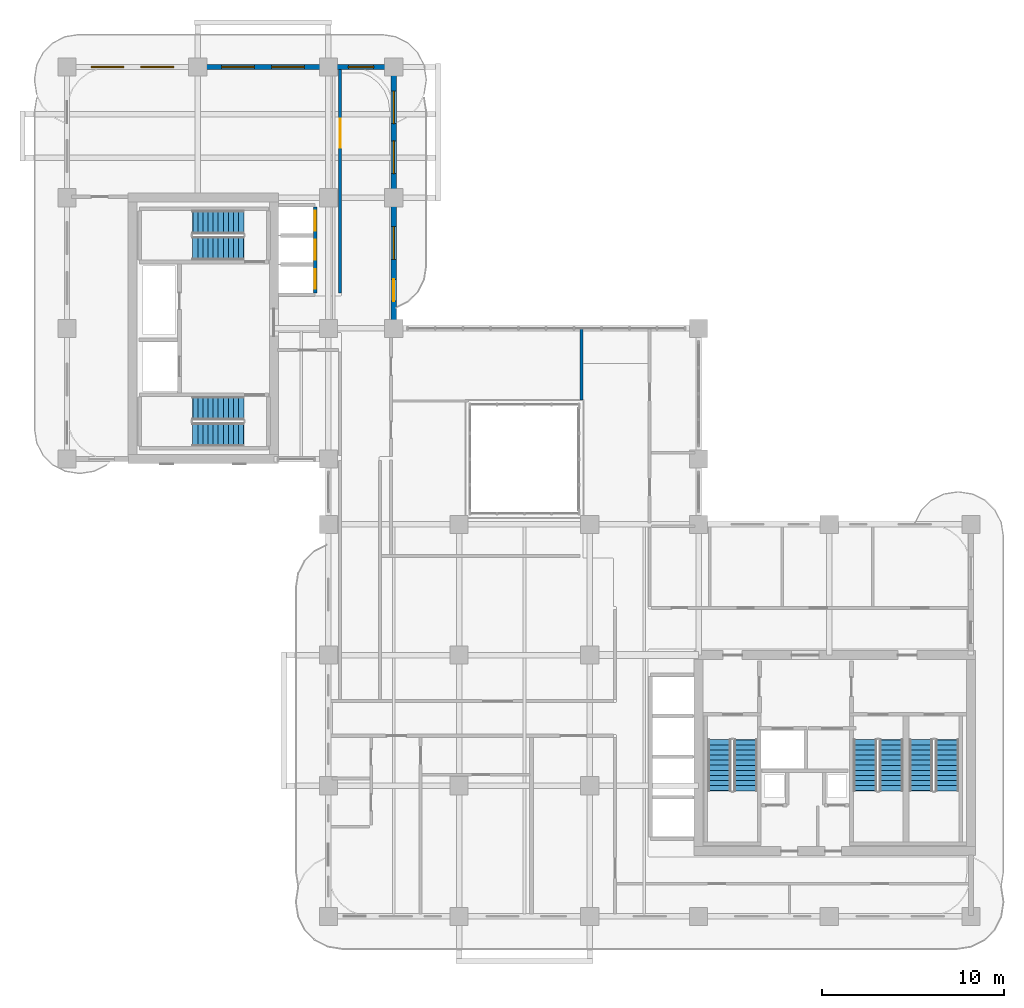
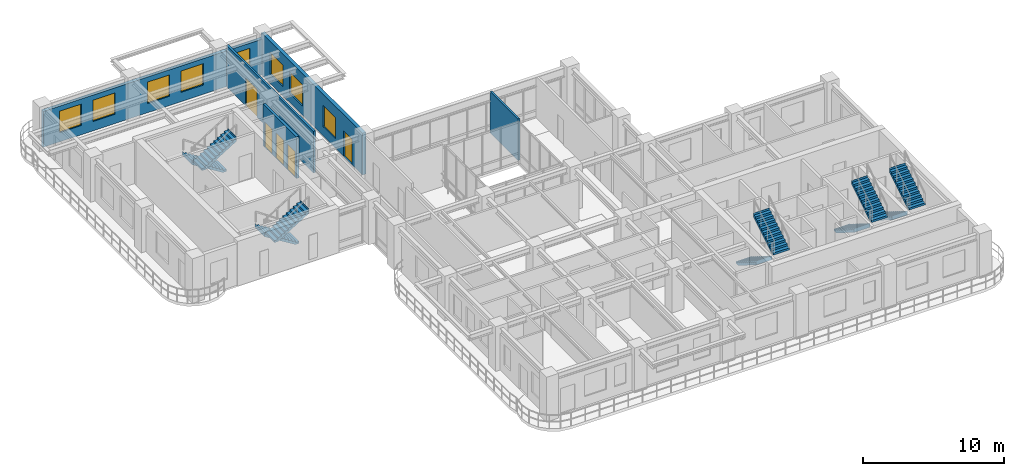
# One storey, part 15 of 19: 10 stair flights, 8 windows, 5 doors, 5 walls, 13 openings, 5 elements without a shape of their own.
"""IFC4 building model written with IfcOpenShell, lengths in metres."""

from ifc_helpers import new_model, si_unit, derived_unit, direction, frame, frame_2d, origin, place, context, subcontext, project, spatial, polyline, rectangle, outline, extrude, source, transform, mapped, material, layer, layer_set, type_object, type_shapes, element, fill, aggregate, save


model = new_model("IFC4")

# Units and contexts
model_context = context("Model", 3, precision=1e-05, world=origin(), true_north=direction((0.0, 1.0)))
body_context = subcontext(model_context, "Body", "Model", "MODEL_VIEW")
ifc_project = project(units=[si_unit("LENGTHUNIT", "METRE"), si_unit("AREAUNIT", "SQUARE_METRE"), si_unit("VOLUMEUNIT", "CUBIC_METRE"), si_unit("PLANEANGLEUNIT", "RADIAN"), si_unit("MASSUNIT", "GRAM", prefix="KILO"), si_unit("THERMODYNAMICTEMPERATUREUNIT", "KELVIN"), si_unit("POWERUNIT", "WATT"), derived_unit("THERMALTRANSMITTANCEUNIT", [(si_unit("POWERUNIT", "WATT"), 1), (si_unit("AREAUNIT", "SQUARE_METRE"), -1), (si_unit("THERMODYNAMICTEMPERATUREUNIT", "KELVIN"), -1)])], contexts=[model_context])

# Site, building, storey
site_placement = place(None, origin())
site = spatial("IfcSite", under=ifc_project, at=site_placement, CompositionType="ELEMENT")
building_placement = place(site_placement, origin())
building = spatial("IfcBuilding", under=site, at=building_placement, Name="Zahravan Archway Hotel and Residences", CompositionType="ELEMENT")
storey_placement = place(building_placement, frame((0.0, 0.0, 150.300048828125)))
storey = spatial("IfcBuildingStorey", under=building, at=storey_placement, Name="L37", CompositionType="ELEMENT", Elevation=150.300048828125)

# Wall, openings, windows
ifc_material_1 = material(Name="Honed Red-Ochre Sandstone & Insulated Block", Category="masonry")
ifc_layer_1 = layer(ifc_material_1, 0.280029296875, Name="Honed Red-Ochre Sandstone & Insulated Block", Category="masonry")
ifc_layer_set_1 = layer_set([ifc_layer_1], Name="Honed Red-Ochre Sandstone & Insulated Block")
wall_type_1 = type_object("IfcWallType", Name="EW-LOG-280", PredefinedType="SOLIDWALL", material=ifc_layer_set_1)
wall_1_placement = place(storey_placement, frame((0.0, 46.800048828125, 0.0), z_axis=(0.0, 0.0, 1.0), x_axis=(1.0, 0.0, 0.0)))
wall_1 = element("IfcWall", 1, at=wall_1_placement, inside=storey, type_object=wall_type_1, Name="L37 Exterior Sandstone Wall WB-N", PredefinedType="SOLIDWALL", context=body_context, shape_type="SweptSolid", body=[
    extrude(rectangle(XDim=18.0, YDim=0.280029296875, at=frame_2d((9.0, 0.0))), origin(), (0.0, 0.0, 1.0), 3.0849609375),
])
opening_1_placement = place(wall_1_placement, frame((1.324951171875, 0.0, 0.800048828125)))
opening_1 = element("IfcOpeningElement", 2, at=opening_1_placement, cuts=wall_1, Name="Opening W-02", PredefinedType="OPENING", context=body_context, shape_type="SweptSolid", body=[
    extrude(rectangle(XDim=1.800048828125, YDim=1.85009765625, at=frame_2d((0.89990234375, 0.925048828125))), frame((0.0, 0.14990234375, 0.0), z_axis=(0.0, -1.0, 0.0), x_axis=(1.0, 0.0, 0.0)), (0.0, 0.0, 1.0), 0.300048828125),
])
opening_2_placement = place(wall_1_placement, frame((4.074951171875, 0.0, 0.800048828125)))
opening_2 = element("IfcOpeningElement", 3, at=opening_2_placement, cuts=wall_1, Name="Opening W-02", PredefinedType="OPENING", context=body_context, shape_type="SweptSolid", body=[
    extrude(rectangle(XDim=1.800048828125, YDim=1.85009765625, at=frame_2d((0.89990234375, 0.925048828125))), frame((0.0, 0.14990234375, 0.0), z_axis=(0.0, -1.0, 0.0), x_axis=(1.0, 0.0, 0.0)), (0.0, 0.0, 1.0), 0.300048828125),
])
opening_3_placement = place(wall_1_placement, frame((8.52490234375, 0.0, 0.800048828125)))
opening_3 = element("IfcOpeningElement", 4, at=opening_3_placement, cuts=wall_1, Name="Opening W-02", PredefinedType="OPENING", context=body_context, shape_type="SweptSolid", body=[
    extrude(rectangle(XDim=1.800048828125, YDim=1.85009765625, at=frame_2d((0.89990234375, 0.925048828125))), frame((0.0, 0.14990234375, 0.0), z_axis=(0.0, -1.0, 0.0), x_axis=(1.0, 0.0, 0.0)), (0.0, 0.0, 1.0), 0.300048828125),
])
opening_4_placement = place(wall_1_placement, frame((11.27490234375, 0.0, 0.800048828125)))
opening_4 = element("IfcOpeningElement", 5, at=opening_4_placement, cuts=wall_1, Name="Opening W-02", PredefinedType="OPENING", context=body_context, shape_type="SweptSolid", body=[
    extrude(rectangle(XDim=1.800048828125, YDim=1.85009765625, at=frame_2d((0.89990234375, 0.925048828125))), frame((0.0, 0.14990234375, 0.0), z_axis=(0.0, -1.0, 0.0), x_axis=(1.0, 0.0, 0.0)), (0.0, 0.0, 1.0), 0.300048828125),
])
opening_5_placement = place(wall_1_placement, frame((15.5, 0.0, 0.800048828125)))
opening_5 = element("IfcOpeningElement", 6, at=opening_5_placement, cuts=wall_1, Name="Opening W-03", PredefinedType="OPENING", context=body_context, shape_type="SweptSolid", body=[
    extrude(rectangle(XDim=1.39990234375, YDim=1.85009765625, at=frame_2d((0.699951171875, 0.925048828125))), frame((0.0, 0.14990234375, 0.0), z_axis=(0.0, -1.0, 0.0), x_axis=(1.0, 0.0, 0.0)), (0.0, 0.0, 1.0), 0.300048828125),
])
ifc_material_2 = material(Name="Bronze-Anodized Thermal-Break Aluminium & Low-E Glass", Category="aluminium")
window_type_1 = type_object("IfcWindowType", Name="WIN-TWR-1400", PartitioningType="SINGLE_PANEL", PredefinedType="WINDOW", material=ifc_material_2)
shared_shape_1 = source(origin(), body_context, "Body", "SweptSolid", [
    extrude(rectangle(XDim=1.39990234375, YDim=1.85009765625, at=frame_2d((0.699951171875, 0.925048828125))), frame((0.0, 0.030029296875, 0.0), z_axis=(0.0, -1.0, 0.0), x_axis=(1.0, 0.0, 0.0)), (0.0, 0.0, 1.0), 0.06005859375),
])
type_shapes(window_type_1, [shared_shape_1])
window_1_placement = place(opening_5_placement, origin())
window_1 = element("IfcWindow", 7, at=window_1_placement, inside=storey, type_object=window_type_1, Name="L37 Loggia Window 30", OverallHeight=1.85009765625, OverallWidth=1.39990234375, PartitioningType="SINGLE_PANEL", PredefinedType="WINDOW", context=body_context, shape_type="MappedRepresentation", body=[
    mapped(shared_shape_1, transform((0.0, 0.0, 0.0), scale=1.0)),
])
fill(opening_5, window_1)
window_type_2 = type_object("IfcWindowType", Name="WIN-TWR-1800", PartitioningType="DOUBLE_PANEL_VERTICAL", PredefinedType="WINDOW", material=ifc_material_2)
shared_shape_2 = source(origin(), body_context, "Body", "SweptSolid", [
    extrude(rectangle(XDim=1.800048828125, YDim=1.85009765625, at=frame_2d((0.89990234375, 0.925048828125))), frame((0.0, 0.030029296875, 0.0), z_axis=(0.0, -1.0, 0.0), x_axis=(1.0, 0.0, 0.0)), (0.0, 0.0, 1.0), 0.06005859375),
])
type_shapes(window_type_2, [shared_shape_2])
window_2_placement = place(opening_1_placement, origin())
window_2 = element("IfcWindow", 8, at=window_2_placement, inside=storey, type_object=window_type_2, Name="L37 Loggia Window 26", OverallHeight=1.85009765625, OverallWidth=1.800048828125, PartitioningType="DOUBLE_PANEL_VERTICAL", PredefinedType="WINDOW", context=body_context, shape_type="MappedRepresentation", body=[
    mapped(shared_shape_2, transform((0.0, 0.0, 0.0), scale=1.0)),
])
fill(opening_1, window_2)
window_3_placement = place(opening_2_placement, origin())
window_3 = element("IfcWindow", 9, at=window_3_placement, inside=storey, type_object=window_type_2, Name="L37 Loggia Window 27", OverallHeight=1.85009765625, OverallWidth=1.800048828125, PartitioningType="DOUBLE_PANEL_VERTICAL", PredefinedType="WINDOW", context=body_context, shape_type="MappedRepresentation", body=[
    mapped(shared_shape_2, transform((0.0, 0.0, 0.0), scale=1.0)),
])
fill(opening_2, window_3)
window_4_placement = place(opening_3_placement, origin())
window_4 = element("IfcWindow", 10, at=window_4_placement, inside=storey, type_object=window_type_2, Name="L37 Loggia Window 28", OverallHeight=1.85009765625, OverallWidth=1.800048828125, PartitioningType="DOUBLE_PANEL_VERTICAL", PredefinedType="WINDOW", context=body_context, shape_type="MappedRepresentation", body=[
    mapped(shared_shape_2, transform((0.0, 0.0, 0.0), scale=1.0)),
])
fill(opening_3, window_4)
window_5_placement = place(opening_4_placement, origin())
window_5 = element("IfcWindow", 11, at=window_5_placement, inside=storey, type_object=window_type_2, Name="L37 Loggia Window 29", OverallHeight=1.85009765625, OverallWidth=1.800048828125, PartitioningType="DOUBLE_PANEL_VERTICAL", PredefinedType="WINDOW", context=body_context, shape_type="MappedRepresentation", body=[
    mapped(shared_shape_2, transform((0.0, 0.0, 0.0), scale=1.0)),
])
fill(opening_4, window_5)

# Wall, openings, door, windows
wall_2_placement = place(storey_placement, frame((18.0, 32.39990234375, 0.0), z_axis=(0.0, 0.0, 1.0), x_axis=(0.0, 1.0, 0.0)))
wall_2 = element("IfcWall", 12, at=wall_2_placement, inside=storey, type_object=wall_type_1, Name="L37 Exterior Sandstone Wall WB-EU", PredefinedType="SOLIDWALL", context=body_context, shape_type="SweptSolid", body=[
    extrude(rectangle(XDim=14.35009765625, YDim=0.280029296875, at=frame_2d((7.175048828125, 0.0))), origin(), (0.0, 0.0, 1.0), 3.599853515625),
])
opening_6_placement = place(wall_2_placement, frame((1.5, 0.0, 0.0)))
opening_6 = element("IfcOpeningElement", 13, at=opening_6_placement, cuts=wall_2, Name="Opening ED-BL1", PredefinedType="OPENING", context=body_context, shape_type="SweptSolid", body=[
    extrude(rectangle(XDim=1.199951171875, YDim=2.199951171875, at=frame_2d((0.60009765625, 1.10009765625))), frame((0.0, 0.14990234375, 0.0), z_axis=(0.0, -1.0, 0.0), x_axis=(1.0, 0.0, 0.0)), (0.0, 0.0, 1.0), 0.300048828125),
])
opening_7_placement = place(wall_2_placement, frame((3.800048828125, 0.0, 0.800048828125)))
opening_7 = element("IfcOpeningElement", 14, at=opening_7_placement, cuts=wall_2, Name="Opening W-02", PredefinedType="OPENING", context=body_context, shape_type="SweptSolid", body=[
    extrude(rectangle(XDim=1.800048828125, YDim=1.85009765625, at=frame_2d((0.89990234375, 0.925048828125))), frame((0.0, 0.14990234375, 0.0), z_axis=(0.0, -1.0, 0.0), x_axis=(1.0, 0.0, 0.0)), (0.0, 0.0, 1.0), 0.300048828125),
])
opening_8_placement = place(wall_2_placement, frame((8.52490234375, 0.0, 0.800048828125)))
opening_8 = element("IfcOpeningElement", 15, at=opening_8_placement, cuts=wall_2, Name="Opening W-02", PredefinedType="OPENING", context=body_context, shape_type="SweptSolid", body=[
    extrude(rectangle(XDim=1.800048828125, YDim=1.85009765625, at=frame_2d((0.89990234375, 0.925048828125))), frame((0.0, 0.14990234375, 0.0), z_axis=(0.0, -1.0, 0.0), x_axis=(1.0, 0.0, 0.0)), (0.0, 0.0, 1.0), 0.300048828125),
])
opening_9_placement = place(wall_2_placement, frame((11.27490234375, 0.0, 0.800048828125)))
opening_9 = element("IfcOpeningElement", 16, at=opening_9_placement, cuts=wall_2, Name="Opening W-02", PredefinedType="OPENING", context=body_context, shape_type="SweptSolid", body=[
    extrude(rectangle(XDim=1.800048828125, YDim=1.85009765625, at=frame_2d((0.89990234375, 0.925048828125))), frame((0.0, 0.14990234375, 0.0), z_axis=(0.0, -1.0, 0.0), x_axis=(1.0, 0.0, 0.0)), (0.0, 0.0, 1.0), 0.300048828125),
])
ifc_material_3 = material(Name="Bronze-Anodized Glazed Aluminium", Category="aluminium")
door_type_1 = type_object("IfcDoorType", Name="ED-BALC-1200", OperationType="SLIDING_TO_LEFT", PredefinedType="DOOR", material=ifc_material_3)
shared_shape_3 = source(origin(), body_context, "Body", "SweptSolid", [
    extrude(rectangle(XDim=1.199951171875, YDim=2.199951171875, at=frame_2d((0.60009765625, 1.10009765625))), frame((0.0, 0.02490234375, 0.0), z_axis=(0.0, -1.0, 0.0), x_axis=(1.0, 0.0, 0.0)), (0.0, 0.0, 1.0), 0.050048828125),
])
type_shapes(door_type_1, [shared_shape_3])
door_1_placement = place(opening_6_placement, origin())
door_1 = element("IfcDoor", 17, at=door_1_placement, inside=storey, type_object=door_type_1, Name="L37 Outdoor Access Sliding Door (SLB-BAL-L37-EB)", OperationType="SLIDING_TO_LEFT", OverallHeight=2.199951171875, OverallWidth=1.199951171875, PredefinedType="DOOR", context=body_context, shape_type="MappedRepresentation", body=[
    mapped(shared_shape_3, transform((0.0, 0.0, 0.0), scale=1.0)),
])
fill(opening_6, door_1)
window_6_placement = place(opening_7_placement, origin())
window_6 = element("IfcWindow", 18, at=window_6_placement, inside=storey, type_object=window_type_2, Name="L37 Loggia Window 31", OverallHeight=1.85009765625, OverallWidth=1.800048828125, PartitioningType="DOUBLE_PANEL_VERTICAL", PredefinedType="WINDOW", context=body_context, shape_type="MappedRepresentation", body=[
    mapped(shared_shape_2, transform((0.0, 0.0, 0.0), scale=1.0)),
])
fill(opening_7, window_6)
window_7_placement = place(opening_8_placement, origin())
window_7 = element("IfcWindow", 19, at=window_7_placement, inside=storey, type_object=window_type_2, Name="L37 Loggia Window 32", OverallHeight=1.85009765625, OverallWidth=1.800048828125, PartitioningType="DOUBLE_PANEL_VERTICAL", PredefinedType="WINDOW", context=body_context, shape_type="MappedRepresentation", body=[
    mapped(shared_shape_2, transform((0.0, 0.0, 0.0), scale=1.0)),
])
fill(opening_8, window_7)
window_8_placement = place(opening_9_placement, origin())
window_8 = element("IfcWindow", 20, at=window_8_placement, inside=storey, type_object=window_type_2, Name="L37 Loggia Window 33", OverallHeight=1.85009765625, OverallWidth=1.800048828125, PartitioningType="DOUBLE_PANEL_VERTICAL", PredefinedType="WINDOW", context=body_context, shape_type="MappedRepresentation", body=[
    mapped(shared_shape_2, transform((0.0, 0.0, 0.0), scale=1.0)),
])
fill(opening_9, window_8)

# Wall, opening, door
ifc_material_4 = material(Name="Fire-Rated Gypsum & Concrete Block", Category="concrete")
ifc_layer_2 = layer(ifc_material_4, 0.159912109375, Name="Fire-Rated Gypsum & Concrete Block", Category="concrete")
ifc_layer_set_2 = layer_set([ifc_layer_2], Name="Fire-Rated Gypsum & Concrete Block")
wall_type_2 = type_object("IfcWallType", Name="PW-CORR-160", PredefinedType="PARTITIONING", material=ifc_layer_set_2)
wall_3_placement = place(storey_placement, frame((15.050048828125, 34.340087890625, 0.0), z_axis=(0.0, 0.0, 1.0), x_axis=(0.0, 1.0, 0.0)))
wall_3 = element("IfcWall", 21, at=wall_3_placement, inside=storey, type_object=wall_type_2, Name="L37 Partition WBN-C", PredefinedType="PARTITIONING", context=body_context, shape_type="SweptSolid", body=[
    extrude(rectangle(XDim=12.31201171875, YDim=0.159912109375, at=frame_2d((6.156005859375, 0.0))), origin(), (0.0, 0.0, 1.0), 3.599853515625),
])
opening_10_placement = place(wall_3_placement, frame((8.010009765625, 0.0, 0.0)))
opening_10 = element("IfcOpeningElement", 22, at=opening_10_placement, cuts=wall_3, Name="Opening D-P2", PredefinedType="OPENING", context=body_context, shape_type="SweptSolid", body=[
    extrude(rectangle(XDim=1.60009765625, YDim=2.39990234375, at=frame_2d((0.800048828125, 1.199951171875))), frame((0.0, 0.08984375, 0.0), z_axis=(0.0, -1.0, 0.0), x_axis=(1.0, 0.0, 0.0)), (0.0, 0.0, 1.0), 0.179931640625),
])
door_type_2 = type_object("IfcDoorType", Name="ID-PUBLIC-1600", OperationType="DOUBLE_DOOR_SINGLE_SWING", PredefinedType="DOOR", material=ifc_material_3)
shared_shape_4 = source(origin(), body_context, "Body", "SweptSolid", [
    extrude(rectangle(XDim=1.60009765625, YDim=2.39990234375, at=frame_2d((0.800048828125, 1.199951171875))), frame((0.0, 0.02490234375, 0.0), z_axis=(0.0, -1.0, 0.0), x_axis=(1.0, 0.0, 0.0)), (0.0, 0.0, 1.0), 0.050048828125),
])
type_shapes(door_type_2, [shared_shape_4])
door_2_placement = place(opening_10_placement, origin())
door_2 = element("IfcDoor", 23, at=door_2_placement, inside=storey, type_object=door_type_2, Name="L37 North Wing Spa Salon Door", OperationType="DOUBLE_DOOR_SINGLE_SWING", OverallHeight=2.39990234375, OverallWidth=1.60009765625, PredefinedType="DOOR", context=body_context, shape_type="MappedRepresentation", body=[
    mapped(shared_shape_4, transform((0.0, 0.0, 0.0), scale=1.0)),
])
fill(opening_10, door_2)

# Wall
wall_4_placement = place(storey_placement, frame((28.35009765625, 28.43994140625, 0.0), z_axis=(0.0, 0.0, 1.0), x_axis=(0.0, 1.0, 0.0)))
element("IfcWall", 24, at=wall_4_placement, inside=storey, type_object=wall_type_2, Name="L37 Partition ATR-NWE", PredefinedType="PARTITIONING", context=body_context, shape_type="SweptSolid", body=[
    extrude(rectangle(XDim=3.93212890625, YDim=0.159912109375, at=frame_2d((1.966064453125, 0.0))), origin(), (0.0, 0.0, 1.0), 3.599853515625),
])

# Wall, openings, doors
ifc_layer_3 = layer(ifc_material_4, 0.199951171875, Name="Fire-Rated Gypsum & Concrete Block", Category="concrete")
ifc_layer_set_3 = layer_set([ifc_layer_3], Name="Fire-Rated Gypsum & Concrete Block")
wall_type_3 = type_object("IfcWallType", Name="PW-SHAFT-200", PredefinedType="PARTITIONING", material=ifc_layer_set_3)
wall_5_placement = place(storey_placement, frame((13.679931640625, 34.360107421875, 0.0), z_axis=(0.0, 0.0, 1.0), x_axis=(0.0, 1.0, 0.0)))
wall_5 = element("IfcWall", 25, at=wall_5_placement, inside=storey, type_object=wall_type_3, Name="L37 Partition B2-E", PredefinedType="PARTITIONING", context=body_context, shape_type="SweptSolid", body=[
    extrude(rectangle(XDim=4.719970703125, YDim=0.199951171875, at=frame_2d((2.35986328125, 0.0))), origin(), (0.0, 0.0, 1.0), 3.599853515625),
])
opening_11_placement = place(wall_5_placement, frame((0.2099609375, 0.0, 0.0)))
opening_11 = element("IfcOpeningElement", 26, at=opening_11_placement, cuts=wall_5, Name="Opening LD", PredefinedType="OPENING", context=body_context, shape_type="SweptSolid", body=[
    extrude(rectangle(XDim=1.10009765625, YDim=2.199951171875, at=frame_2d((0.550048828125, 1.10009765625))), frame((0.0, 0.10986328125, 0.0), z_axis=(0.0, -1.0, 0.0), x_axis=(1.0, 0.0, 0.0)), (0.0, 0.0, 1.0), 0.219970703125),
])
opening_12_placement = place(wall_5_placement, frame((1.81005859375, 0.0, 0.0)))
opening_12 = element("IfcOpeningElement", 27, at=opening_12_placement, cuts=wall_5, Name="Opening LD", PredefinedType="OPENING", context=body_context, shape_type="SweptSolid", body=[
    extrude(rectangle(XDim=1.10009765625, YDim=2.199951171875, at=frame_2d((0.550048828125, 1.10009765625))), frame((0.0, 0.10986328125, 0.0), z_axis=(0.0, -1.0, 0.0), x_axis=(1.0, 0.0, 0.0)), (0.0, 0.0, 1.0), 0.219970703125),
])
opening_13_placement = place(wall_5_placement, frame((3.409912109375, 0.0, 0.0)))
opening_13 = element("IfcOpeningElement", 28, at=opening_13_placement, cuts=wall_5, Name="Opening LD", PredefinedType="OPENING", context=body_context, shape_type="SweptSolid", body=[
    extrude(rectangle(XDim=1.10009765625, YDim=2.199951171875, at=frame_2d((0.550048828125, 1.10009765625))), frame((0.0, 0.10986328125, 0.0), z_axis=(0.0, -1.0, 0.0), x_axis=(1.0, 0.0, 0.0)), (0.0, 0.0, 1.0), 0.219970703125),
])
ifc_material_5 = material(Name="Brushed Stainless Steel", Category="steel")
door_type_3 = type_object("IfcDoorType", Name="DR-LIFT-LD", OperationType="SLIDING_TO_LEFT", PredefinedType="DOOR", material=ifc_material_5)
shared_shape_5 = source(origin(), body_context, "Body", "SweptSolid", [
    extrude(rectangle(XDim=1.10009765625, YDim=2.199951171875, at=frame_2d((0.550048828125, 1.10009765625))), frame((0.0, 0.02490234375, 0.0), z_axis=(0.0, -1.0, 0.0), x_axis=(1.0, 0.0, 0.0)), (0.0, 0.0, 1.0), 0.050048828125),
])
type_shapes(door_type_3, [shared_shape_5])
door_3_placement = place(opening_11_placement, origin())
door_3 = element("IfcDoor", 29, at=door_3_placement, inside=storey, type_object=door_type_3, Name="L37 Lift LP-4 Sliding Landing Door", OperationType="SLIDING_TO_LEFT", OverallHeight=2.199951171875, OverallWidth=1.10009765625, PredefinedType="DOOR", context=body_context, shape_type="MappedRepresentation", body=[
    mapped(shared_shape_5, transform((0.0, 0.0, 0.0), scale=1.0)),
])
fill(opening_11, door_3)
door_4_placement = place(opening_12_placement, origin())
door_4 = element("IfcDoor", 30, at=door_4_placement, inside=storey, type_object=door_type_3, Name="L37 Lift LP-5 Sliding Landing Door", OperationType="SLIDING_TO_LEFT", OverallHeight=2.199951171875, OverallWidth=1.10009765625, PredefinedType="DOOR", context=body_context, shape_type="MappedRepresentation", body=[
    mapped(shared_shape_5, transform((0.0, 0.0, 0.0), scale=1.0)),
])
fill(opening_12, door_4)
door_5_placement = place(opening_13_placement, origin())
door_5 = element("IfcDoor", 31, at=door_5_placement, inside=storey, type_object=door_type_3, Name="L37 Lift LP-6 Sliding Landing Door", OperationType="SLIDING_TO_LEFT", OverallHeight=2.199951171875, OverallWidth=1.10009765625, PredefinedType="DOOR", context=body_context, shape_type="MappedRepresentation", body=[
    mapped(shared_shape_5, transform((0.0, 0.0, 0.0), scale=1.0)),
])
fill(opening_13, door_5)

# Stair, stair flights
ifc_material_6 = material(Name="Concrete C50/60", Category="concrete")
stair_type = type_object("IfcStairType", Name="STR-CORE-1300", PredefinedType="HALF_TURN_STAIR", material=ifc_material_6)
stair_1_placement = place(storey_placement, origin())
stair_1 = element("IfcStair", 32, at=stair_1_placement, inside=storey, type_object=stair_type, Name="L37 Core A Exit Stair 1", PredefinedType="HALF_TURN_STAIR")
ifc_layer_4 = layer(ifc_material_6, 0.199951171875, Name="Concrete C50/60", Category="concrete")
ifc_layer_set_4 = layer_set([ifc_layer_4], Name="Concrete C50/60")
stair_flight_type = type_object("IfcStairFlightType", Name="SFL-CORE-1300", PredefinedType="STRAIGHT", material=ifc_layer_set_4)
shared_shape_6 = source(origin(), body_context, "Body", "SweptSolid", [
    extrude(outline(polyline([(-0.01611328125, 0.0), (-0.01611328125, 0.175048828125), (0.280029296875, 0.175048828125), (0.280029296875, 0.35009765625), (0.56005859375, 0.35009765625), (0.56005859375, 0.52490234375), (0.840087890625, 0.52490234375), (0.840087890625, 0.699951171875), (1.1201171875, 0.699951171875), (1.1201171875, 0.875), (1.39990234375, 0.875), (1.39990234375, 1.050048828125), (1.679931640625, 1.050048828125), (1.679931640625, 1.22509765625), (1.9599609375, 1.22509765625), (1.9599609375, 1.39990234375), (2.239990234375, 1.39990234375), (2.239990234375, 1.574951171875), (2.52001953125, 1.574951171875), (2.52001953125, 1.75), (2.800048828125, 1.75), (2.800048828125, 1.925048828125), (2.816162109375, 1.925048828125), (2.816162109375, 1.5732421875), (0.28271484375, 0.0), (-0.01611328125, 0.0)])), frame((0.0, 0.64990234375, 0.0), z_axis=(0.0, -1.0, 0.0), x_axis=(1.0, 0.0, 0.0)), (0.0, 0.0, 1.0), 1.300048828125),
])
stair_flight_1_placement = place(storey_placement, frame((35.949951171875, 9.72998046875, 0.0), z_axis=(0.0, 0.0, 1.0), x_axis=(0.0, -1.0, 0.0)))
stair_flight_1 = element("IfcStairFlight", 33, at=stair_flight_1_placement, type_object=stair_flight_type, Name="ST-A1 flight 1", NumberOfRisers=11, NumberOfTreads=10, PredefinedType="STRAIGHT", RiserHeight=0.175, TreadLength=0.28, context=body_context, shape_type="MappedRepresentation", body=[
    mapped(shared_shape_6, transform((0.0, 0.0, 0.0), scale=1.0)),
])
stair_flight_2_placement = place(storey_placement, frame((37.389892578125, 6.929931640625, 1.925048828125), z_axis=(0.0, 0.0, 1.0), x_axis=(0.0, 1.0, 0.0)))
stair_flight_2 = element("IfcStairFlight", 34, at=stair_flight_2_placement, type_object=stair_flight_type, Name="ST-A1 flight 2", NumberOfRisers=11, NumberOfTreads=10, PredefinedType="STRAIGHT", RiserHeight=0.175, TreadLength=0.28, context=body_context, shape_type="MappedRepresentation", body=[
    mapped(shared_shape_6, transform((0.0, 0.0, 0.0), scale=1.0)),
])
aggregate(stair_1, [stair_flight_1, stair_flight_2])

stair_2_placement = place(storey_placement, origin())
stair_2 = element("IfcStair", 35, at=stair_2_placement, inside=storey, type_object=stair_type, Name="L37 Core A Exit Stair 2", PredefinedType="HALF_TURN_STAIR")
stair_flight_3_placement = place(storey_placement, frame((43.969970703125, 9.72998046875, 0.0), z_axis=(0.0, 0.0, 1.0), x_axis=(0.0, -1.0, 0.0)))
stair_flight_3 = element("IfcStairFlight", 36, at=stair_flight_3_placement, type_object=stair_flight_type, Name="ST-A2 flight 1", NumberOfRisers=11, NumberOfTreads=10, PredefinedType="STRAIGHT", RiserHeight=0.175, TreadLength=0.28, context=body_context, shape_type="MappedRepresentation", body=[
    mapped(shared_shape_6, transform((0.0, 0.0, 0.0), scale=1.0)),
])
stair_flight_4_placement = place(storey_placement, frame((45.409912109375, 6.929931640625, 1.925048828125), z_axis=(0.0, 0.0, 1.0), x_axis=(0.0, 1.0, 0.0)))
stair_flight_4 = element("IfcStairFlight", 37, at=stair_flight_4_placement, type_object=stair_flight_type, Name="ST-A2 flight 2", NumberOfRisers=11, NumberOfTreads=10, PredefinedType="STRAIGHT", RiserHeight=0.175, TreadLength=0.28, context=body_context, shape_type="MappedRepresentation", body=[
    mapped(shared_shape_6, transform((0.0, 0.0, 0.0), scale=1.0)),
])
aggregate(stair_2, [stair_flight_3, stair_flight_4])

stair_3_placement = place(storey_placement, origin())
stair_3 = element("IfcStair", 38, at=stair_3_placement, inside=storey, type_object=stair_type, Name="L37 Core A Exit Stair 3", PredefinedType="HALF_TURN_STAIR")
stair_flight_5_placement = place(storey_placement, frame((47.050048828125, 9.72998046875, 0.0), z_axis=(0.0, 0.0, 1.0), x_axis=(0.0, -1.0, 0.0)))
stair_flight_5 = element("IfcStairFlight", 39, at=stair_flight_5_placement, type_object=stair_flight_type, Name="ST-A3 flight 1", NumberOfRisers=11, NumberOfTreads=10, PredefinedType="STRAIGHT", RiserHeight=0.175, TreadLength=0.28, context=body_context, shape_type="MappedRepresentation", body=[
    mapped(shared_shape_6, transform((0.0, 0.0, 0.0), scale=1.0)),
])
stair_flight_6_placement = place(storey_placement, frame((48.489990234375, 6.929931640625, 1.925048828125), z_axis=(0.0, 0.0, 1.0), x_axis=(0.0, 1.0, 0.0)))
stair_flight_6 = element("IfcStairFlight", 40, at=stair_flight_6_placement, type_object=stair_flight_type, Name="ST-A3 flight 2", NumberOfRisers=11, NumberOfTreads=10, PredefinedType="STRAIGHT", RiserHeight=0.175, TreadLength=0.28, context=body_context, shape_type="MappedRepresentation", body=[
    mapped(shared_shape_6, transform((0.0, 0.0, 0.0), scale=1.0)),
])
aggregate(stair_3, [stair_flight_5, stair_flight_6])

stair_4_placement = place(storey_placement, origin())
stair_4 = element("IfcStair", 41, at=stair_4_placement, inside=storey, type_object=stair_type, Name="L37 Core B Exit Stair 1", PredefinedType="HALF_TURN_STAIR")
stair_flight_7_placement = place(storey_placement, frame((9.72998046875, 27.989990234375, 0.0), z_axis=(0.0, 0.0, 1.0), x_axis=(-1.0, 0.0, 0.0)))
stair_flight_7 = element("IfcStairFlight", 42, at=stair_flight_7_placement, type_object=stair_flight_type, Name="ST-B1 flight 1", NumberOfRisers=11, NumberOfTreads=10, PredefinedType="STRAIGHT", RiserHeight=0.175, TreadLength=0.28, context=body_context, shape_type="MappedRepresentation", body=[
    mapped(shared_shape_6, transform((0.0, 0.0, 0.0), scale=1.0)),
])
stair_flight_8_placement = place(storey_placement, frame((6.929931640625, 26.550048828125, 1.925048828125), z_axis=(0.0, 0.0, 1.0), x_axis=(1.0, 0.0, 0.0)))
stair_flight_8 = element("IfcStairFlight", 43, at=stair_flight_8_placement, type_object=stair_flight_type, Name="ST-B1 flight 2", NumberOfRisers=11, NumberOfTreads=10, PredefinedType="STRAIGHT", RiserHeight=0.175, TreadLength=0.28, context=body_context, shape_type="MappedRepresentation", body=[
    mapped(shared_shape_6, transform((0.0, 0.0, 0.0), scale=1.0)),
])
aggregate(stair_4, [stair_flight_7, stair_flight_8])

stair_5_placement = place(storey_placement, origin())
stair_5 = element("IfcStair", 44, at=stair_5_placement, inside=storey, type_object=stair_type, Name="L37 Core B Exit Stair 2", PredefinedType="HALF_TURN_STAIR")
stair_flight_9_placement = place(storey_placement, frame((9.72998046875, 38.25, 0.0), z_axis=(0.0, 0.0, 1.0), x_axis=(-1.0, 0.0, 0.0)))
stair_flight_9 = element("IfcStairFlight", 45, at=stair_flight_9_placement, type_object=stair_flight_type, Name="ST-B2 flight 1", NumberOfRisers=11, NumberOfTreads=10, PredefinedType="STRAIGHT", RiserHeight=0.175, TreadLength=0.28, context=body_context, shape_type="MappedRepresentation", body=[
    mapped(shared_shape_6, transform((0.0, 0.0, 0.0), scale=1.0)),
])
stair_flight_10_placement = place(storey_placement, frame((6.929931640625, 36.81005859375, 1.925048828125), z_axis=(0.0, 0.0, 1.0), x_axis=(1.0, 0.0, 0.0)))
stair_flight_10 = element("IfcStairFlight", 46, at=stair_flight_10_placement, type_object=stair_flight_type, Name="ST-B2 flight 2", NumberOfRisers=11, NumberOfTreads=10, PredefinedType="STRAIGHT", RiserHeight=0.175, TreadLength=0.28, context=body_context, shape_type="MappedRepresentation", body=[
    mapped(shared_shape_6, transform((0.0, 0.0, 0.0), scale=1.0)),
])
aggregate(stair_5, [stair_flight_9, stair_flight_10])

save(model, "model.ifc")
